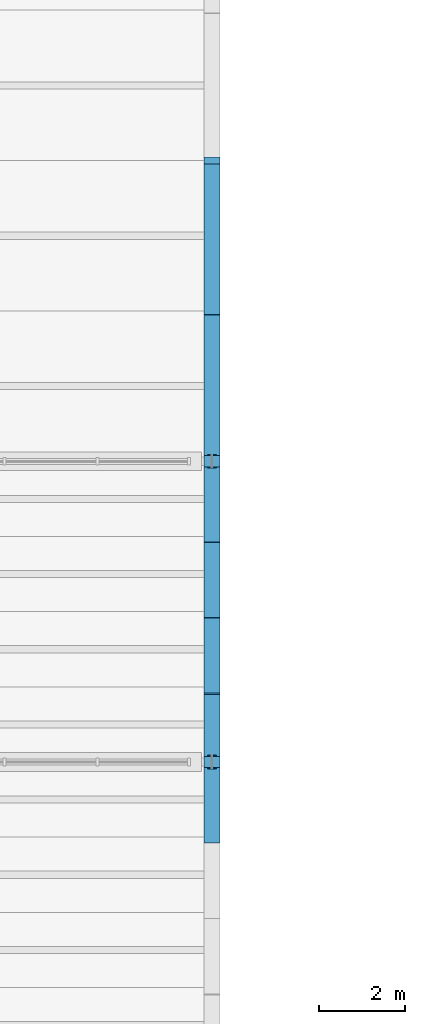
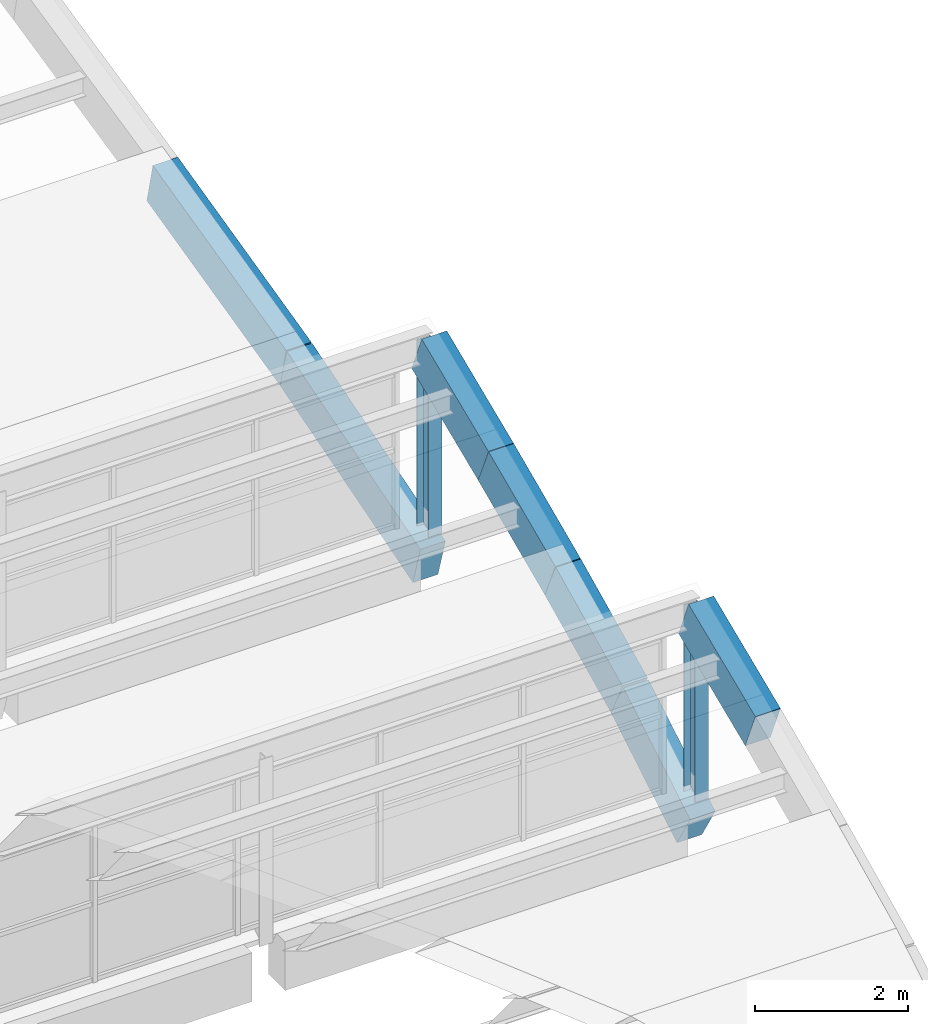
# One storey, part 36 of 92: 7 beams, 2 members.
"""IFC4 building model written with IfcOpenShell, lengths in metres."""

from ifc_helpers import new_model, si_unit, direction, frame, origin, origin_2d, place, context, subcontext, project, spatial, rectangle, i_section, extrude, material, material_profile, profile_set, type_object, element, save


model = new_model("IFC4")

# Units and contexts
model_context = context("Model", 3, precision=1e-05, world=origin(), true_north=direction((0.0, 1.0)))
body_context = subcontext(model_context, "Body", "Model", "MODEL_VIEW")
ifc_project = project(units=[si_unit("LENGTHUNIT", "METRE"), si_unit("AREAUNIT", "SQUARE_METRE"), si_unit("VOLUMEUNIT", "CUBIC_METRE"), si_unit("PLANEANGLEUNIT", "RADIAN"), si_unit("MASSUNIT", "GRAM", prefix="KILO")], contexts=[model_context])

# Site, building, storey
site_placement = place(None, origin())
site = spatial("IfcSite", under=ifc_project, at=site_placement, CompositionType="ELEMENT")
building_placement = place(site_placement, origin())
building = spatial("IfcBuilding", under=site, at=building_placement, Name="Ciguamira Faculty of Natural Sciences", CompositionType="ELEMENT")
storey_placement = place(building_placement, frame((0.0, 0.0, 16.800048828125)))
storey = spatial("IfcBuildingStorey", under=building, at=storey_placement, Name="L04", CompositionType="ELEMENT", Elevation=16.800048828125)

# Beams
ifc_material_1 = material(Name="Concrete C40/50", Category="concrete")
ifc_material_profile_1 = material_profile(ifc_material_1, rectangle(XDim=0.3798828125, YDim=0.679931640625, at=origin_2d()), Name="RC-BM-380X680")
ifc_profile_set_1 = profile_set([ifc_material_profile_1], Name="Concrete C40/50")
beam_type = type_object("IfcBeamType", Name="RCBeam_BG-09_RC-BM-380X680", PredefinedType="BEAM", material=ifc_profile_set_1)
beam_1_placement = place(storey_placement, frame((116.699951171875, 50.25, 2.142333984375), z_axis=(0.0, 0.921502225808, 0.388373078148), x_axis=(-1.0, 0.0, 0.0)))
element("IfcBeam", 1, at=beam_1_placement, inside=storey, type_object=beam_type, Name="V4 wave roof RC edge arch rib 2-1-4-2", PredefinedType="BEAM", context=body_context, shape_type="SweptSolid", body=[
    extrude(rectangle(XDim=0.3798828125, YDim=0.679931640625, at=origin_2d()), origin(), (0.0, 0.0, 1.0), 1.899169921875),
])
beam_2_placement = place(storey_placement, frame((116.699951171875, 52.0, -0.52001953125), z_axis=(0.0, 0.858273746902, 0.513192142749), x_axis=(-1.0, 0.0, 0.0)))
element("IfcBeam", 2, at=beam_2_placement, inside=storey, type_object=beam_type, Name="V4 wave roof RC edge arch rib 3-1-1-2", PredefinedType="BEAM", context=body_context, shape_type="SweptSolid", body=[
    extrude(rectangle(XDim=0.3798828125, YDim=0.679931640625, at=origin_2d()), origin(), (0.0, 0.0, 1.0), 2.0390625),
])
beam_3_placement = place(storey_placement, frame((116.699951171875, 53.75, 0.5263671875), z_axis=(0.0, 0.901554457929, 0.432665643872), x_axis=(-1.0, 0.0, 0.0)))
element("IfcBeam", 3, at=beam_3_placement, inside=storey, type_object=beam_type, Name="V4 wave roof RC edge arch rib 3-1-2-2", PredefinedType="BEAM", context=body_context, shape_type="SweptSolid", body=[
    extrude(rectangle(XDim=0.3798828125, YDim=0.679931640625, at=origin_2d()), origin(), (0.0, 0.0, 1.0), 1.941162109375),
])
beam_4_placement = place(storey_placement, frame((116.699951171875, 55.5, 1.3662109375), z_axis=(0.0, 0.914132059628, 0.405416548208), x_axis=(-1.0, 0.0, 0.0)))
element("IfcBeam", 4, at=beam_4_placement, inside=storey, type_object=beam_type, Name="V4 wave roof RC edge arch rib 3-1-3-2", PredefinedType="BEAM", context=body_context, shape_type="SweptSolid", body=[
    extrude(rectangle(XDim=0.3798828125, YDim=0.679931640625, at=origin_2d()), origin(), (0.0, 0.0, 1.0), 1.914306640625),
])
beam_5_placement = place(storey_placement, frame((116.699951171875, 57.25, 2.142333984375), z_axis=(0.0, 0.921502225808, 0.388373078148), x_axis=(-1.0, 0.0, 0.0)))
element("IfcBeam", 5, at=beam_5_placement, inside=storey, type_object=beam_type, Name="V4 wave roof RC edge arch rib 3-1-4-2", PredefinedType="BEAM", context=body_context, shape_type="SweptSolid", body=[
    extrude(rectangle(XDim=0.3798828125, YDim=0.679931640625, at=origin_2d()), origin(), (0.0, 0.0, 1.0), 1.899169921875),
])
beam_6_placement = place(storey_placement, frame((116.699951171875, 59.0, -0.52001953125), z_axis=(0.0, 0.958098086918, 0.286440318117), x_axis=(-1.0, 0.0, 0.0)))
element("IfcBeam", 6, at=beam_6_placement, inside=storey, type_object=beam_type, Name="V4 wave roof RC edge arch rib 4-2-1-2", PredefinedType="BEAM", context=body_context, shape_type="SweptSolid", body=[
    extrude(rectangle(XDim=0.3798828125, YDim=0.679931640625, at=origin_2d()), origin(), (0.0, 0.0, 1.0), 3.653076171875),
])
beam_7_placement = place(storey_placement, frame((116.699951171875, 62.5, 0.5263671875), z_axis=(0.0, 0.972397152231, 0.233331905948), x_axis=(-1.0, 0.0, 0.0)))
element("IfcBeam", 7, at=beam_7_placement, inside=storey, type_object=beam_type, Name="V4 wave roof RC edge arch rib 4-2-2-2", PredefinedType="BEAM", context=body_context, shape_type="SweptSolid", body=[
    extrude(rectangle(XDim=0.3798828125, YDim=0.679931640625, at=origin_2d()), origin(), (0.0, 0.0, 1.0), 3.599365234375),
])

# Members
ifc_material_2 = material(Name="Steel ASTM A992 Grade 50", Category="steel")
ifc_material_profile_2 = material_profile(ifc_material_2, i_section(OverallWidth=0.20458984375, OverallDepth=0.307373046875, WebThickness=0.008544921875, FlangeThickness=0.0146484375, at=origin_2d()), Name="W12X45")
ifc_profile_set_2 = profile_set([ifc_material_profile_2], Name="Steel ASTM A992 Grade 50")
member_type = type_object("IfcMemberType", Name="SteelMember_TS-01_W12X45", PredefinedType="STRUT", material=ifc_profile_set_2)
for number, where, z_axis, x_axis, name in (
    (8, (116.699951171875, 52.0, 0.0), (0.0, 0.0, 1.0), (1.0, 0.0, 0.0), "V4 north-light wave 2 clerestory post 117"),
    (9, (116.699951171875, 59.0, 0.0), (0.0, 0.0, 1.0), (1.0, 0.0, 0.0), "V4 north-light wave 3 clerestory post 117"),
):
    element("IfcMember", number, at=place(storey_placement, frame(where, z_axis=z_axis, x_axis=x_axis)), inside=storey, type_object=member_type, Name=name, PredefinedType="STRUT", context=body_context, shape_type="SweptSolid", body=[
        extrude(i_section(OverallWidth=0.20458984375, OverallDepth=0.307373046875, WebThickness=0.008544921875, FlangeThickness=0.0146484375, at=origin_2d()), origin(), (0.0, 0.0, 1.0), 2.986328125),
    ])

save(model, "model.ifc")
